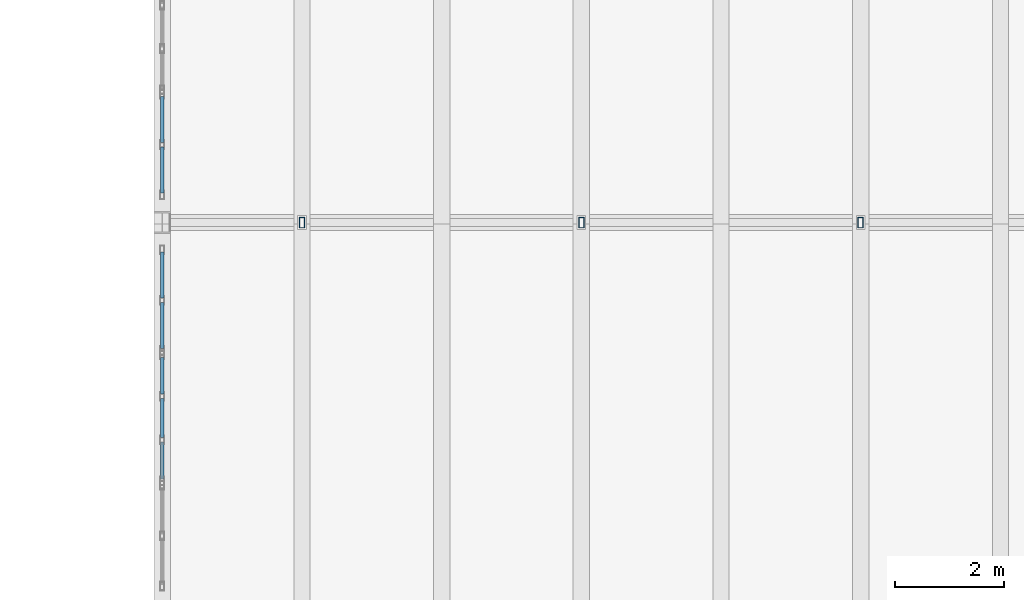
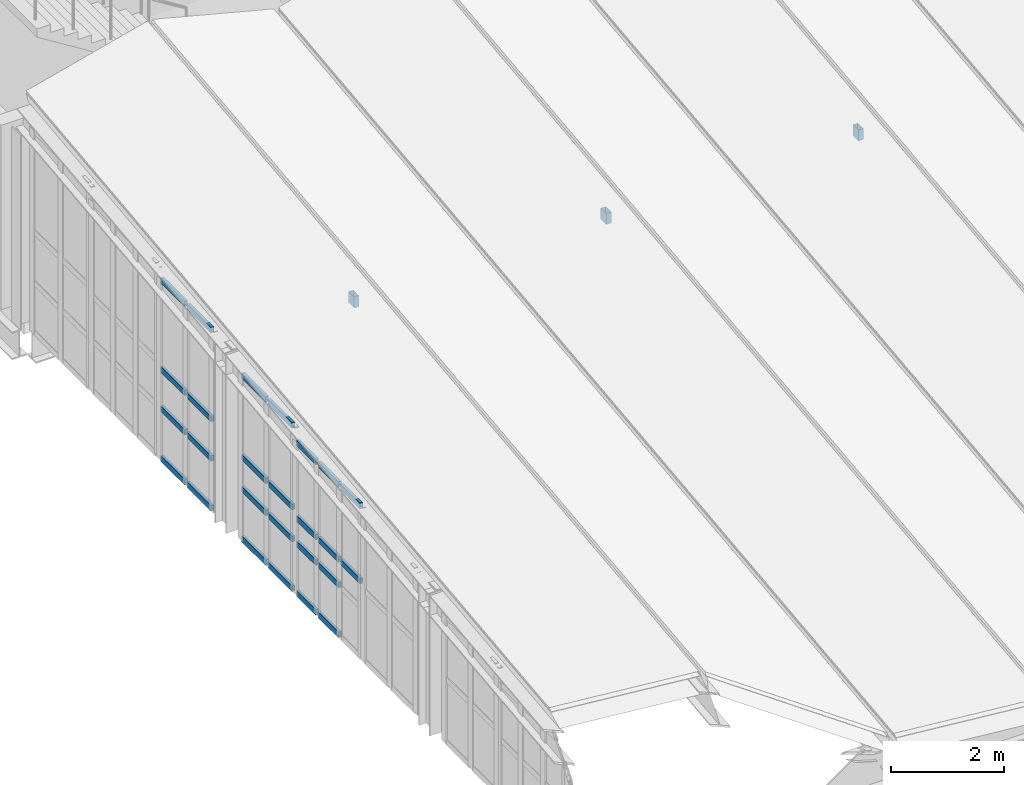
# One storey, part 23 of 48: 29 members, 3 elements without a shape of their own.
"""IFC4 building model written with IfcOpenShell, lengths in metres."""

from ifc_helpers import new_model, si_unit, direction, frame, origin, origin_2d, place, context, subcontext, project, spatial, hollow_rectangle, extrude, material, layer, layer_set, material_profile, profile_set, type_object, element, aggregate, save


model = new_model("IFC4")

# Units and contexts
model_context = context("Model", 3, precision=1e-05, world=origin(), true_north=direction((0.0, 1.0)))
body_context = subcontext(model_context, "Body", "Model", "MODEL_VIEW")
ifc_project = project(units=[si_unit("LENGTHUNIT", "METRE"), si_unit("AREAUNIT", "SQUARE_METRE"), si_unit("VOLUMEUNIT", "CUBIC_METRE"), si_unit("PLANEANGLEUNIT", "RADIAN"), si_unit("MASSUNIT", "GRAM", prefix="KILO"), si_unit("THERMODYNAMICTEMPERATUREUNIT", "KELVIN"), si_unit("POWERUNIT", "WATT")], contexts=[model_context])

# Site, building, storey
site_placement = place(None, origin())
site = spatial("IfcSite", under=ifc_project, at=site_placement, CompositionType="ELEMENT")
building_placement = place(site_placement, origin())
building = spatial("IfcBuilding", under=site, at=building_placement, Name="Kaldorven Railside Theatre", CompositionType="ELEMENT")
storey_placement = place(building_placement, frame((0.0, 0.0, 18.89990234375)))
storey = spatial("IfcBuildingStorey", under=building, at=storey_placement, Name="L04", CompositionType="ELEMENT", Elevation=18.89990234375)

# Curtain wall, members
ifc_material_1 = material(Name="Low-E laminated solar-control glass", Category="glass")
ifc_layer_1 = layer(ifc_material_1, 0.159912109375, Name="Low-E laminated solar-control glass")
ifc_layer_set_1 = layer_set([ifc_layer_1], Name="Low-E laminated solar-control glass")
curtain_wall_type_1 = type_object("IfcCurtainWallType", Name="CWT-36", PredefinedType="USERDEFINED", material=ifc_layer_set_1)
curtain_wall_1_placement = place(storey_placement, origin())
curtain_wall_1 = element("IfcCurtainWall", 1, at=curtain_wall_1_placement, inside=storey, type_object=curtain_wall_type_1, Name="Main Theatre West Eave Clerestory CWG-012", ObjectType="FLUTED GLAZING", PredefinedType="USERDEFINED")
ifc_material_2 = material(Name="Anodised bronze aluminium", Category="aluminium")
ifc_material_profile_1 = material_profile(ifc_material_2, hollow_rectangle(XDim=0.06005859375, YDim=0.1201171875, WallThickness=0.0048828125, at=origin_2d()), Name="RHS 120x60x5")
ifc_profile_set_1 = profile_set([ifc_material_profile_1], Name="Anodised bronze aluminium")
member_type_1 = type_object("IfcMemberType", Name="CWT-120", PredefinedType="USERDEFINED", material=ifc_profile_set_1)
member_1_placement = place(storey_placement, frame((87.199951171875, 72.080078125, 1.670166015625), z_axis=(0.0, 1.0, 0.0), x_axis=(-1.0, 0.0, 0.0)))
member_1 = element("IfcMember", 2, at=member_1_placement, type_object=member_type_1, Name="CWG-012 transom 1.3", ObjectType="TRANSOM", PredefinedType="USERDEFINED", context=body_context, shape_type="SweptSolid", body=[
    extrude(hollow_rectangle(XDim=0.06005859375, YDim=0.1201171875, WallThickness=0.0048828125, at=origin_2d()), origin(), (0.0, 0.0, 1.0), 0.679931640625),
])
member_2_placement = place(storey_placement, frame((87.199951171875, 72.080078125, 3.2900390625), z_axis=(0.0, 1.0, 0.0), x_axis=(-1.0, 0.0, 0.0)))
member_2 = element("IfcMember", 3, at=member_2_placement, type_object=member_type_1, Name="CWG-012 transom 1.4", ObjectType="TRANSOM", PredefinedType="USERDEFINED", context=body_context, shape_type="SweptSolid", body=[
    extrude(hollow_rectangle(XDim=0.06005859375, YDim=0.1201171875, WallThickness=0.0048828125, at=origin_2d()), origin(), (0.0, 0.0, 1.0), 0.679931640625),
])
member_3_placement = place(storey_placement, frame((87.199951171875, 72.840087890625, 0.050048828125), z_axis=(0.0, 1.0, 0.0), x_axis=(-1.0, 0.0, 0.0)))
member_3 = element("IfcMember", 4, at=member_3_placement, type_object=member_type_1, Name="CWG-012 transom 2.1", ObjectType="TRANSOM", PredefinedType="USERDEFINED", context=body_context, shape_type="SweptSolid", body=[
    extrude(hollow_rectangle(XDim=0.06005859375, YDim=0.1201171875, WallThickness=0.0048828125, at=origin_2d()), origin(), (0.0, 0.0, 1.0), 0.719970703125),
])
member_4_placement = place(storey_placement, frame((87.199951171875, 72.840087890625, 1.1201171875), z_axis=(0.0, 1.0, 0.0), x_axis=(-1.0, 0.0, 0.0)))
member_4 = element("IfcMember", 5, at=member_4_placement, type_object=member_type_1, Name="CWG-012 transom 2.2", ObjectType="TRANSOM", PredefinedType="USERDEFINED", context=body_context, shape_type="SweptSolid", body=[
    extrude(hollow_rectangle(XDim=0.06005859375, YDim=0.1201171875, WallThickness=0.0048828125, at=origin_2d()), origin(), (0.0, 0.0, 1.0), 0.719970703125),
])
member_5_placement = place(storey_placement, frame((87.199951171875, 72.840087890625, 1.670166015625), z_axis=(0.0, 1.0, 0.0), x_axis=(-1.0, 0.0, 0.0)))
member_5 = element("IfcMember", 6, at=member_5_placement, type_object=member_type_1, Name="CWG-012 transom 2.3", ObjectType="TRANSOM", PredefinedType="USERDEFINED", context=body_context, shape_type="SweptSolid", body=[
    extrude(hollow_rectangle(XDim=0.06005859375, YDim=0.1201171875, WallThickness=0.0048828125, at=origin_2d()), origin(), (0.0, 0.0, 1.0), 0.719970703125),
])
member_6_placement = place(storey_placement, frame((87.199951171875, 72.840087890625, 3.2900390625), z_axis=(0.0, 1.0, 0.0), x_axis=(-1.0, 0.0, 0.0)))
member_6 = element("IfcMember", 7, at=member_6_placement, type_object=member_type_1, Name="CWG-012 transom 2.4", ObjectType="TRANSOM", PredefinedType="USERDEFINED", context=body_context, shape_type="SweptSolid", body=[
    extrude(hollow_rectangle(XDim=0.06005859375, YDim=0.1201171875, WallThickness=0.0048828125, at=origin_2d()), origin(), (0.0, 0.0, 1.0), 0.719970703125),
])
member_7_placement = place(storey_placement, frame((87.199951171875, 73.639892578125, 0.050048828125), z_axis=(0.0, 1.0, 0.0), x_axis=(-1.0, 0.0, 0.0)))
member_7 = element("IfcMember", 8, at=member_7_placement, type_object=member_type_1, Name="CWG-012 transom 3.1", ObjectType="TRANSOM", PredefinedType="USERDEFINED", context=body_context, shape_type="SweptSolid", body=[
    extrude(hollow_rectangle(XDim=0.06005859375, YDim=0.1201171875, WallThickness=0.0048828125, at=origin_2d()), origin(), (0.0, 0.0, 1.0), 0.68017578125),
])
member_8_placement = place(storey_placement, frame((87.199951171875, 73.639892578125, 1.1201171875), z_axis=(0.0, 1.0, 0.0), x_axis=(-1.0, 0.0, 0.0)))
member_8 = element("IfcMember", 9, at=member_8_placement, type_object=member_type_1, Name="CWG-012 transom 3.2", ObjectType="TRANSOM", PredefinedType="USERDEFINED", context=body_context, shape_type="SweptSolid", body=[
    extrude(hollow_rectangle(XDim=0.06005859375, YDim=0.1201171875, WallThickness=0.0048828125, at=origin_2d()), origin(), (0.0, 0.0, 1.0), 0.68017578125),
])
member_9_placement = place(storey_placement, frame((87.199951171875, 73.639892578125, 1.670166015625), z_axis=(0.0, 1.0, 0.0), x_axis=(-1.0, 0.0, 0.0)))
member_9 = element("IfcMember", 10, at=member_9_placement, type_object=member_type_1, Name="CWG-012 transom 3.3", ObjectType="TRANSOM", PredefinedType="USERDEFINED", context=body_context, shape_type="SweptSolid", body=[
    extrude(hollow_rectangle(XDim=0.06005859375, YDim=0.1201171875, WallThickness=0.0048828125, at=origin_2d()), origin(), (0.0, 0.0, 1.0), 0.68017578125),
])
member_10_placement = place(storey_placement, frame((87.199951171875, 73.639892578125, 3.2900390625), z_axis=(0.0, 1.0, 0.0), x_axis=(-1.0, 0.0, 0.0)))
member_10 = element("IfcMember", 11, at=member_10_placement, type_object=member_type_1, Name="CWG-012 transom 3.4", ObjectType="TRANSOM", PredefinedType="USERDEFINED", context=body_context, shape_type="SweptSolid", body=[
    extrude(hollow_rectangle(XDim=0.06005859375, YDim=0.1201171875, WallThickness=0.0048828125, at=origin_2d()), origin(), (0.0, 0.0, 1.0), 0.68017578125),
])
aggregate(curtain_wall_1, [member_1, member_2, member_3, member_4, member_5, member_6, member_7, member_8, member_9, member_10])

ifc_layer_2 = layer(ifc_material_1, 0.159912109375, Name="Low-E laminated solar-control glass")
ifc_layer_set_2 = layer_set([ifc_layer_2], Name="Low-E laminated solar-control glass")
curtain_wall_type_2 = type_object("IfcCurtainWallType", Name="CWT-37", PredefinedType="USERDEFINED", material=ifc_layer_set_2)
curtain_wall_2_placement = place(storey_placement, origin())
curtain_wall_2 = element("IfcCurtainWall", 12, at=curtain_wall_2_placement, inside=storey, type_object=curtain_wall_type_2, Name="Main Theatre West Eave Clerestory CWG-013", ObjectType="FLUTED GLAZING", PredefinedType="USERDEFINED")
member_11_placement = place(storey_placement, frame((87.199951171875, 74.47998046875, 0.050048828125), z_axis=(0.0, 1.0, 0.0), x_axis=(-1.0, 0.0, 0.0)))
member_11 = element("IfcMember", 13, at=member_11_placement, type_object=member_type_1, Name="CWG-013 transom 1.1", ObjectType="TRANSOM", PredefinedType="USERDEFINED", context=body_context, shape_type="SweptSolid", body=[
    extrude(hollow_rectangle(XDim=0.06005859375, YDim=0.1201171875, WallThickness=0.0048828125, at=origin_2d()), origin(), (0.0, 0.0, 1.0), 0.847412109375),
])
member_12_placement = place(storey_placement, frame((87.199951171875, 74.47998046875, 1.1201171875), z_axis=(0.0, 1.0, 0.0), x_axis=(-1.0, 0.0, 0.0)))
member_12 = element("IfcMember", 14, at=member_12_placement, type_object=member_type_1, Name="CWG-013 transom 1.2", ObjectType="TRANSOM", PredefinedType="USERDEFINED", context=body_context, shape_type="SweptSolid", body=[
    extrude(hollow_rectangle(XDim=0.06005859375, YDim=0.1201171875, WallThickness=0.0048828125, at=origin_2d()), origin(), (0.0, 0.0, 1.0), 0.847412109375),
])
member_13_placement = place(storey_placement, frame((87.199951171875, 74.47998046875, 1.81005859375), z_axis=(0.0, 1.0, 0.0), x_axis=(-1.0, 0.0, 0.0)))
member_13 = element("IfcMember", 15, at=member_13_placement, type_object=member_type_1, Name="CWG-013 transom 1.3", ObjectType="TRANSOM", PredefinedType="USERDEFINED", context=body_context, shape_type="SweptSolid", body=[
    extrude(hollow_rectangle(XDim=0.06005859375, YDim=0.1201171875, WallThickness=0.0048828125, at=origin_2d()), origin(), (0.0, 0.0, 1.0), 0.847412109375),
])
member_14_placement = place(storey_placement, frame((87.199951171875, 74.47998046875, 3.570068359375), z_axis=(0.0, 1.0, 0.0), x_axis=(-1.0, 0.0, 0.0)))
member_14 = element("IfcMember", 16, at=member_14_placement, type_object=member_type_1, Name="CWG-013 transom 1.4", ObjectType="TRANSOM", PredefinedType="USERDEFINED", context=body_context, shape_type="SweptSolid", body=[
    extrude(hollow_rectangle(XDim=0.06005859375, YDim=0.1201171875, WallThickness=0.0048828125, at=origin_2d()), origin(), (0.0, 0.0, 1.0), 0.847412109375),
])
member_15_placement = place(storey_placement, frame((87.199951171875, 75.407470703125, 0.050048828125), z_axis=(0.0, 1.0, 0.0), x_axis=(-1.0, 0.0, 0.0)))
member_15 = element("IfcMember", 17, at=member_15_placement, type_object=member_type_1, Name="CWG-013 transom 2.1", ObjectType="TRANSOM", PredefinedType="USERDEFINED", context=body_context, shape_type="SweptSolid", body=[
    extrude(hollow_rectangle(XDim=0.06005859375, YDim=0.1201171875, WallThickness=0.0048828125, at=origin_2d()), origin(), (0.0, 0.0, 1.0), 0.847412109375),
])
member_16_placement = place(storey_placement, frame((87.199951171875, 75.407470703125, 1.1201171875), z_axis=(0.0, 1.0, 0.0), x_axis=(-1.0, 0.0, 0.0)))
member_16 = element("IfcMember", 18, at=member_16_placement, type_object=member_type_1, Name="CWG-013 transom 2.2", ObjectType="TRANSOM", PredefinedType="USERDEFINED", context=body_context, shape_type="SweptSolid", body=[
    extrude(hollow_rectangle(XDim=0.06005859375, YDim=0.1201171875, WallThickness=0.0048828125, at=origin_2d()), origin(), (0.0, 0.0, 1.0), 0.847412109375),
])
member_17_placement = place(storey_placement, frame((87.199951171875, 75.407470703125, 1.81005859375), z_axis=(0.0, 1.0, 0.0), x_axis=(-1.0, 0.0, 0.0)))
member_17 = element("IfcMember", 19, at=member_17_placement, type_object=member_type_1, Name="CWG-013 transom 2.3", ObjectType="TRANSOM", PredefinedType="USERDEFINED", context=body_context, shape_type="SweptSolid", body=[
    extrude(hollow_rectangle(XDim=0.06005859375, YDim=0.1201171875, WallThickness=0.0048828125, at=origin_2d()), origin(), (0.0, 0.0, 1.0), 0.847412109375),
])
member_18_placement = place(storey_placement, frame((87.199951171875, 75.407470703125, 3.570068359375), z_axis=(0.0, 1.0, 0.0), x_axis=(-1.0, 0.0, 0.0)))
member_18 = element("IfcMember", 20, at=member_18_placement, type_object=member_type_1, Name="CWG-013 transom 2.4", ObjectType="TRANSOM", PredefinedType="USERDEFINED", context=body_context, shape_type="SweptSolid", body=[
    extrude(hollow_rectangle(XDim=0.06005859375, YDim=0.1201171875, WallThickness=0.0048828125, at=origin_2d()), origin(), (0.0, 0.0, 1.0), 0.847412109375),
])
aggregate(curtain_wall_2, [member_11, member_12, member_13, member_14, member_15, member_16, member_17, member_18])

ifc_layer_3 = layer(ifc_material_1, 0.159912109375, Name="Low-E laminated solar-control glass")
ifc_layer_set_3 = layer_set([ifc_layer_3], Name="Low-E laminated solar-control glass")
curtain_wall_type_3 = type_object("IfcCurtainWallType", Name="CWT-38", PredefinedType="USERDEFINED", material=ifc_layer_set_3)
curtain_wall_3_placement = place(storey_placement, origin())
curtain_wall_3 = element("IfcCurtainWall", 21, at=curtain_wall_3_placement, inside=storey, type_object=curtain_wall_type_3, Name="Main Theatre West Eave Clerestory CWG-014", ObjectType="FLUTED GLAZING", PredefinedType="USERDEFINED")
member_19_placement = place(storey_placement, frame((87.199951171875, 77.344970703125, 0.050048828125), z_axis=(0.0, 1.0, 0.0), x_axis=(-1.0, 0.0, 0.0)))
member_19 = element("IfcMember", 22, at=member_19_placement, type_object=member_type_1, Name="CWG-014 transom 1.1", ObjectType="TRANSOM", PredefinedType="USERDEFINED", context=body_context, shape_type="SweptSolid", body=[
    extrude(hollow_rectangle(XDim=0.06005859375, YDim=0.1201171875, WallThickness=0.0048828125, at=origin_2d()), origin(), (0.0, 0.0, 1.0), 0.847412109375),
])
member_20_placement = place(storey_placement, frame((87.199951171875, 77.344970703125, 1.1201171875), z_axis=(0.0, 1.0, 0.0), x_axis=(-1.0, 0.0, 0.0)))
member_20 = element("IfcMember", 23, at=member_20_placement, type_object=member_type_1, Name="CWG-014 transom 1.2", ObjectType="TRANSOM", PredefinedType="USERDEFINED", context=body_context, shape_type="SweptSolid", body=[
    extrude(hollow_rectangle(XDim=0.06005859375, YDim=0.1201171875, WallThickness=0.0048828125, at=origin_2d()), origin(), (0.0, 0.0, 1.0), 0.847412109375),
])
member_21_placement = place(storey_placement, frame((87.199951171875, 77.344970703125, 1.97021484375), z_axis=(0.0, 1.0, 0.0), x_axis=(-1.0, 0.0, 0.0)))
member_21 = element("IfcMember", 24, at=member_21_placement, type_object=member_type_1, Name="CWG-014 transom 1.3", ObjectType="TRANSOM", PredefinedType="USERDEFINED", context=body_context, shape_type="SweptSolid", body=[
    extrude(hollow_rectangle(XDim=0.06005859375, YDim=0.1201171875, WallThickness=0.0048828125, at=origin_2d()), origin(), (0.0, 0.0, 1.0), 0.847412109375),
])
member_22_placement = place(storey_placement, frame((87.199951171875, 77.344970703125, 3.89013671875), z_axis=(0.0, 1.0, 0.0), x_axis=(-1.0, 0.0, 0.0)))
member_22 = element("IfcMember", 25, at=member_22_placement, type_object=member_type_1, Name="CWG-014 transom 1.4", ObjectType="TRANSOM", PredefinedType="USERDEFINED", context=body_context, shape_type="SweptSolid", body=[
    extrude(hollow_rectangle(XDim=0.06005859375, YDim=0.1201171875, WallThickness=0.0048828125, at=origin_2d()), origin(), (0.0, 0.0, 1.0), 0.847412109375),
])
member_23_placement = place(storey_placement, frame((87.199951171875, 78.2724609375, 0.050048828125), z_axis=(0.0, 1.0, 0.0), x_axis=(-1.0, 0.0, 0.0)))
member_23 = element("IfcMember", 26, at=member_23_placement, type_object=member_type_1, Name="CWG-014 transom 2.1", ObjectType="TRANSOM", PredefinedType="USERDEFINED", context=body_context, shape_type="SweptSolid", body=[
    extrude(hollow_rectangle(XDim=0.06005859375, YDim=0.1201171875, WallThickness=0.0048828125, at=origin_2d()), origin(), (0.0, 0.0, 1.0), 0.84765625),
])
member_24_placement = place(storey_placement, frame((87.199951171875, 78.2724609375, 1.1201171875), z_axis=(0.0, 1.0, 0.0), x_axis=(-1.0, 0.0, 0.0)))
member_24 = element("IfcMember", 27, at=member_24_placement, type_object=member_type_1, Name="CWG-014 transom 2.2", ObjectType="TRANSOM", PredefinedType="USERDEFINED", context=body_context, shape_type="SweptSolid", body=[
    extrude(hollow_rectangle(XDim=0.06005859375, YDim=0.1201171875, WallThickness=0.0048828125, at=origin_2d()), origin(), (0.0, 0.0, 1.0), 0.84765625),
])
member_25_placement = place(storey_placement, frame((87.199951171875, 78.2724609375, 1.97021484375), z_axis=(0.0, 1.0, 0.0), x_axis=(-1.0, 0.0, 0.0)))
member_25 = element("IfcMember", 28, at=member_25_placement, type_object=member_type_1, Name="CWG-014 transom 2.3", ObjectType="TRANSOM", PredefinedType="USERDEFINED", context=body_context, shape_type="SweptSolid", body=[
    extrude(hollow_rectangle(XDim=0.06005859375, YDim=0.1201171875, WallThickness=0.0048828125, at=origin_2d()), origin(), (0.0, 0.0, 1.0), 0.84765625),
])
member_26_placement = place(storey_placement, frame((87.199951171875, 78.2724609375, 3.89013671875), z_axis=(0.0, 1.0, 0.0), x_axis=(-1.0, 0.0, 0.0)))
member_26 = element("IfcMember", 29, at=member_26_placement, type_object=member_type_1, Name="CWG-014 transom 2.4", ObjectType="TRANSOM", PredefinedType="USERDEFINED", context=body_context, shape_type="SweptSolid", body=[
    extrude(hollow_rectangle(XDim=0.06005859375, YDim=0.1201171875, WallThickness=0.0048828125, at=origin_2d()), origin(), (0.0, 0.0, 1.0), 0.84765625),
])
aggregate(curtain_wall_3, [member_19, member_20, member_21, member_22, member_23, member_24, member_25, member_26])

# Members
ifc_material_3 = material(Name="Steel S355", Category="steel")
ifc_material_profile_2 = material_profile(ifc_material_3, hollow_rectangle(XDim=0.10009765625, YDim=0.199951171875, WallThickness=0.008056640625, at=origin_2d()), Name="RHS 200x100x8")
ifc_profile_set_2 = profile_set([ifc_material_profile_2], Name="Steel S355")
member_type_2 = type_object("IfcMemberType", Name="MEM-RHS200", PredefinedType="STRUT", material=ifc_profile_set_2)
for number, where, z_axis, x_axis, name in (
    (30, (89.771484375, 76.800048828125, 3.86376953125), (0.0, 0.0, 1.0), (1.0, 0.0, 0.0), "V1 Folded-Roof King-Post Strut STR-010"),
    (31, (94.914306640625, 76.800048828125, 3.86376953125), (0.0, 0.0, 1.0), (1.0, 0.0, 0.0), "V1 Folded-Roof King-Post Strut STR-015"),
    (32, (100.05712890625, 76.800048828125, 3.86376953125), (0.0, 0.0, 1.0), (1.0, 0.0, 0.0), "V1 Folded-Roof King-Post Strut STR-020"),
):
    element("IfcMember", number, at=place(storey_placement, frame(where, z_axis=z_axis, x_axis=x_axis)), inside=storey, type_object=member_type_2, Name=name, PredefinedType="STRUT", context=body_context, shape_type="SweptSolid", body=[
        extrude(hollow_rectangle(XDim=0.10009765625, YDim=0.199951171875, WallThickness=0.008056640625, at=origin_2d()), origin(), (0.0, 0.0, 1.0), 0.235595703125),
    ])

save(model, "model.ifc")
